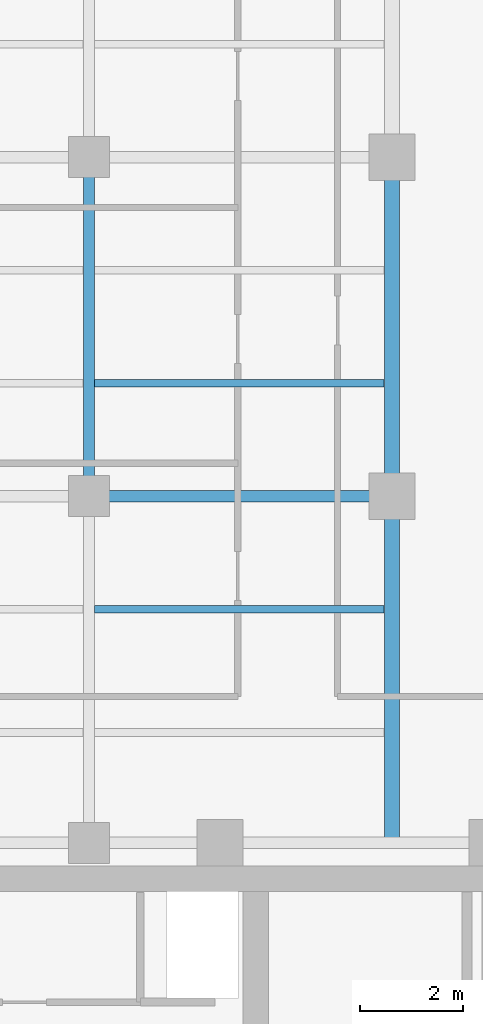
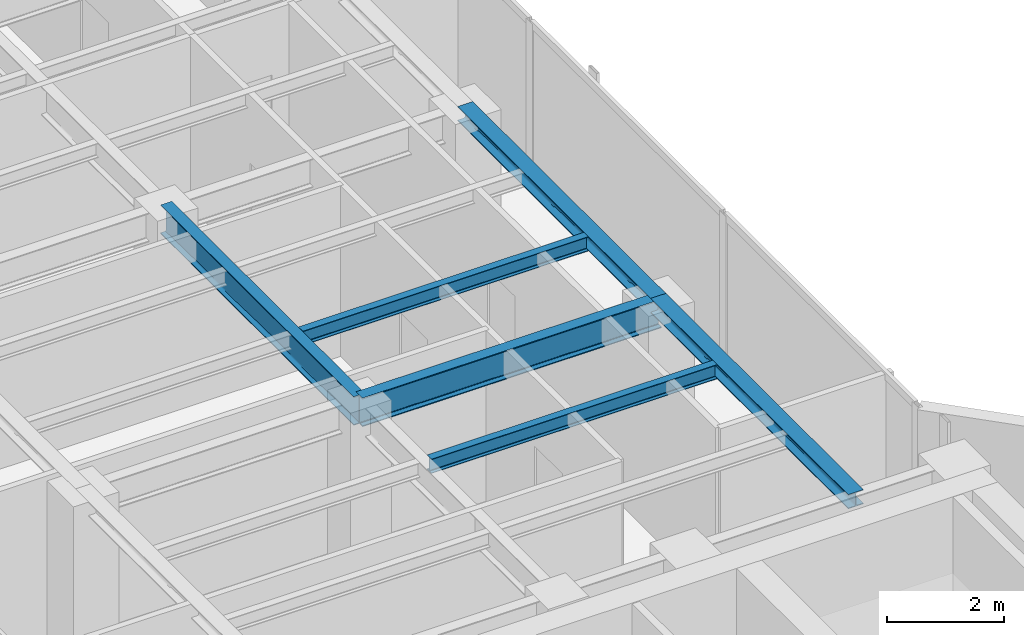
# One storey, part 9 of 22: 6 beams.
"""IFC4 building model written with IfcOpenShell, lengths in metres."""

import ifcopenshell
import ifcopenshell.guid

model = None  # the IFC model being written
_history = None  # IfcOwnerHistory: only IFC2X3 demands one
_inside = {}  # id of a spatial element -> (the spatial element, [elements in it])
_under = {}  # id of a project, library or spatial element -> (it, [spatial elements below it])
_declared = {}  # id of a project -> (the project, [libraries it declares])
_typed = {}  # id of a type object -> (the type object, [elements of that type])
_made_of = {}  # id of a material, layer set ... -> (it, [elements and type objects made of it])


def new_model(schema):
    """Start an empty IFC model of exactly this schema.

    Asked for "IFC4X3", IfcOpenShell would pick the latest addendum, in which some entities
    have other attributes; the version numbers below select the first issue.
    IFC2X3 requires an IfcOwnerHistory on every rooted entity: one is made here for all.
    """
    global model, _history
    if schema == "IFC4X3":
        model = ifcopenshell.file(schema_version=(4, 3, 0, 0))
    else:
        model = ifcopenshell.file(schema=schema)
    _inside.clear()
    _under.clear()
    _declared.clear()
    _typed.clear()
    _made_of.clear()
    _history = None
    if model.schema == "IFC2X3":
        org = make("IfcOrganization", Name="unknown")
        user = make(
            "IfcPersonAndOrganization",
            ThePerson=make("IfcPerson", FamilyName="unknown"),
            TheOrganization=org,
        )
        app = make(
            "IfcApplication",
            ApplicationDeveloper=org,
            Version="unknown",
            ApplicationFullName="unknown",
            ApplicationIdentifier="unknown",
        )
        _history = make(
            "IfcOwnerHistory",
            OwningUser=user,
            OwningApplication=app,
            ChangeAction="ADDED",
            CreationDate=0,
        )
    return model


def make(cls, **values):
    """One entity of the class cls with the attributes given. An attribute that is None is left unset."""
    return model.create_entity(
        cls, **{name: value for name, value in values.items() if value is not None}
    )


def rooted(cls, **values):
    """An entity with a GlobalId (a new one), such as an element, a storey or a relation."""
    return make(cls, GlobalId=ifcopenshell.guid.new(), OwnerHistory=_history, **values)


def si_unit(unit_type, name, prefix=None):
    """IfcSIUnit, for example si_unit("LENGTHUNIT", "METRE", prefix="MILLI")."""
    return make("IfcSIUnit", UnitType=unit_type, Prefix=prefix, Name=name)


def assignment(units):
    """IfcUnitAssignment: the units of a project."""
    return None if units is None else make("IfcUnitAssignment", Units=units)


def point(xyz):
    """IfcCartesianPoint."""
    return None if xyz is None else make("IfcCartesianPoint", Coordinates=xyz)


def direction(xyz):
    """IfcDirection."""
    return None if xyz is None else make("IfcDirection", DirectionRatios=xyz)


def frame(location, z_axis=None, x_axis=None):
    """IfcAxis2Placement3D, a coordinate frame: its origin and axes. An axis left out is left unset."""
    return make(
        "IfcAxis2Placement3D",
        Location=point(location),
        Axis=direction(z_axis),
        RefDirection=direction(x_axis),
    )


def frame_2d(location, x_axis=None):
    """IfcAxis2Placement2D, a coordinate frame in the plane: its origin and x axis."""
    return make(
        "IfcAxis2Placement2D", Location=point(location), RefDirection=direction(x_axis)
    )


def origin():
    """The frame at (0, 0, 0) with its axes left unset."""
    return frame((0.0, 0.0, 0.0))


def origin_2d():
    """The frame at (0, 0) in the plane with its x axis left unset."""
    return frame_2d((0.0, 0.0))


def place(relative_to, where):
    """IfcLocalPlacement: puts the frame where relative to a parent placement (None: the world)."""
    return make(
        "IfcLocalPlacement", PlacementRelTo=relative_to, RelativePlacement=where
    )


def context(
    kind, dimensions, precision=None, world=None, true_north=None, identifier=None
):
    """IfcGeometricRepresentationContext, for example the 3D "Model" context."""
    return make(
        "IfcGeometricRepresentationContext",
        ContextIdentifier=identifier,
        ContextType=kind,
        CoordinateSpaceDimension=dimensions,
        Precision=precision,
        WorldCoordinateSystem=world,
        TrueNorth=true_north,
    )


def subcontext(parent, identifier, kind, view, scale=None):
    """IfcGeometricRepresentationSubContext, for example "Body" below "Model"."""
    return make(
        "IfcGeometricRepresentationSubContext",
        ContextIdentifier=identifier,
        ContextType=kind,
        ParentContext=parent,
        TargetScale=scale,
        TargetView=view,
    )


def project(units=None, contexts=None):
    """IfcProject with its units and contexts."""
    return rooted(
        "IfcProject",
        Name="project",
        RepresentationContexts=contexts,
        UnitsInContext=assignment(units),
    )


def spatial(cls, under=None, at=None, **own):
    """A site, building, storey or space (cls), placed at a placement, below another one or the project."""
    s = rooted(cls, ObjectPlacement=at, **own)
    if under is not None:
        _under.setdefault(under.id(), (under, []))[1].append(s)
    return s


def profile(cls, at=None, kind="AREA", **sizes):
    """A parametric profile (cls). Its sizes go by their IFC names, for example OverallWidth=200.0."""
    return make(cls, ProfileType=kind, Position=at, **sizes)


def i_section(**sizes):
    """IfcIShapeProfileDef."""
    return profile("IfcIShapeProfileDef", **sizes)


def extrude(swept, where, along, depth):
    """IfcExtrudedAreaSolid: the profile swept, set in the frame where, extruded along a direction by depth."""
    return make(
        "IfcExtrudedAreaSolid",
        SweptArea=swept,
        Position=where,
        ExtrudedDirection=direction(along),
        Depth=depth,
    )


def shape(context_of_items, identifier, shape_type, items):
    """IfcShapeRepresentation: the items that make up one representation, for example the "Body"."""
    return make(
        "IfcShapeRepresentation",
        ContextOfItems=context_of_items,
        RepresentationIdentifier=identifier,
        RepresentationType=shape_type,
        Items=items,
    )


def material(Name=None, Category=None):
    """IfcMaterial."""
    return make("IfcMaterial", Name=Name, Category=Category)


def material_profile(
    of_material, cross_section, Name=None, Category=None, Priority=None
):
    """IfcMaterialProfile: a cross section and its material."""
    return make(
        "IfcMaterialProfile",
        Name=Name,
        Material=of_material,
        Profile=cross_section,
        Priority=Priority,
        Category=Category,
    )


def profile_set(profiles, Name=None, composite=None):
    """IfcMaterialProfileSet."""
    return make(
        "IfcMaterialProfileSet",
        Name=Name,
        MaterialProfiles=profiles,
        CompositeProfile=composite,
    )


def made_of(thing, what):
    """Note that an element or type object is made of a material, layer set ...; save() writes the relation."""
    if what is not None:
        _made_of.setdefault(what.id(), (what, []))[1].append(thing)
    return thing


def type_object(cls, material=None, **own):
    """A type object (cls), such as IfcWallType, which elements share."""
    return made_of(rooted(cls, **own), material)


def element(
    cls,
    number,
    at=None,
    inside=None,
    cuts=None,
    type_object=None,
    material=None,
    context=None,
    identifier="Body",
    shape_type=None,
    held_by="IfcProductDefinitionShape",
    body=None,
    shapes=None,
    **own,
):
    """One element of the class cls, such as IfcWall. Its Tag is "e" and its number.

    at: its placement. inside: the storey or other place that contains it. cuts: it is an
    opening in that element (IfcRelVoidsElement). A single representation is given by context,
    identifier, shape_type and body (its items); several are given by shapes. held_by: the class
    of the entity that holds the representations. save() writes the other relations.
    """
    e = rooted(cls, Tag="e%d" % number, ObjectPlacement=at, **own)
    if body is not None:
        shapes = [shape(context, identifier, shape_type, body)]
    if shapes is not None:
        e.Representation = make(held_by, Representations=shapes)
    if inside is not None:
        _inside.setdefault(inside.id(), (inside, []))[1].append(e)
    if cuts is not None:
        rooted(
            "IfcRelVoidsElement", RelatingBuildingElement=cuts, RelatedOpeningElement=e
        )
    if type_object is not None:
        _typed.setdefault(type_object.id(), (type_object, []))[1].append(e)
    return made_of(e, material)


def aggregate(whole, parts):
    """IfcRelAggregates: a whole, such as a stair, and the parts it consists of."""
    return rooted("IfcRelAggregates", RelatingObject=whole, RelatedObjects=parts)


def save(model, path):
    """Write the relations noted so far, then the file.

    IfcRelAggregates (storeys below a building ...), IfcRelContainedInSpatialStructure (elements
    in a storey), IfcRelDefinesByType, IfcRelAssociatesMaterial and IfcRelDeclares: one each for
    every whole, place, type object, material and project.
    """
    for whole, parts in _under.values():
        aggregate(whole, parts)
    for where, things in _inside.values():
        rooted(
            "IfcRelContainedInSpatialStructure",
            RelatedElements=things,
            RelatingStructure=where,
        )
    for kind, things in _typed.values():
        rooted("IfcRelDefinesByType", RelatedObjects=things, RelatingType=kind)
    for what, things in _made_of.values():
        rooted("IfcRelAssociatesMaterial", RelatedObjects=things, RelatingMaterial=what)
    for by, libraries in _declared.values():
        rooted("IfcRelDeclares", RelatingContext=by, RelatedDefinitions=libraries)
    model.write(path)


model = new_model("IFC4")

# Units and contexts
model_context = context("Model", 3, precision=1e-05, world=origin(), true_north=direction((0.0, 1.0)))
body_context = subcontext(model_context, "Body", "Model", "MODEL_VIEW")
ifc_project = project(units=[si_unit("LENGTHUNIT", "METRE"), si_unit("AREAUNIT", "SQUARE_METRE"), si_unit("VOLUMEUNIT", "CUBIC_METRE"), si_unit("PLANEANGLEUNIT", "RADIAN"), si_unit("MASSUNIT", "GRAM", prefix="KILO")], contexts=[model_context])

# Site, building, storey
site_placement = place(None, origin())
site = spatial("IfcSite", under=ifc_project, at=site_placement, CompositionType="ELEMENT")
building_placement = place(site_placement, origin())
building = spatial("IfcBuilding", under=site, at=building_placement, Name="Kolvaren Waterfront Exchange", CompositionType="ELEMENT")
storey_placement = place(building_placement, frame((0.0, 0.0, 312.199951171875)))
storey = spatial("IfcBuildingStorey", under=building, at=storey_placement, Name="L80", CompositionType="ELEMENT", Elevation=312.199951171875)

# Beams
ifc_material = material(Name="Steel S355", Category="steel")
ifc_material_profile_1 = material_profile(ifc_material, i_section(OverallWidth=0.300048828125, OverallDepth=0.300048828125, WebThickness=0.010986328125, FlangeThickness=0.01904296875, FilletRadius=0.027099609375, at=origin_2d()), Name="HEB300")
ifc_profile_set_1 = profile_set([ifc_material_profile_1], Name="Steel S355")
beam_type_1 = type_object("IfcBeamType", Name="STR-BM-HEB300", PredefinedType="SPANDREL", material=ifc_profile_set_1)
beam_1_placement = place(storey_placement, frame((18.800048828125, 24.449951171875, 3.41015625), z_axis=(0.0, 1.0, 0.0), x_axis=(-1.0, 0.0, 0.0)))
element("IfcBeam", 1, at=beam_1_placement, inside=storey, type_object=beam_type_1, Name="L80 north-arm edge beam 1", PredefinedType="SPANDREL", context=body_context, shape_type="SweptSolid", body=[
    extrude(i_section(OverallWidth=0.300048828125, OverallDepth=0.300048828125, WebThickness=0.010986328125, FlangeThickness=0.01904296875, FilletRadius=0.027099609375, at=origin_2d()), origin(), (0.0, 0.0, 1.0), 6.75),
])
beam_2_placement = place(storey_placement, frame((18.800048828125, 31.199951171875, 3.41015625), z_axis=(0.0, 1.0, 0.0), x_axis=(-1.0, 0.0, 0.0)))
element("IfcBeam", 2, at=beam_2_placement, inside=storey, type_object=beam_type_1, Name="L80 north-arm edge beam 2", PredefinedType="SPANDREL", context=body_context, shape_type="SweptSolid", body=[
    extrude(i_section(OverallWidth=0.300048828125, OverallDepth=0.300048828125, WebThickness=0.010986328125, FlangeThickness=0.01904296875, FilletRadius=0.027099609375, at=origin_2d()), origin(), (0.0, 0.0, 1.0), 6.60009765625),
])
ifc_material_profile_2 = material_profile(ifc_material, i_section(OverallWidth=0.14990234375, OverallDepth=0.300048828125, WebThickness=0.007080078125, FlangeThickness=0.0107421875, FilletRadius=0.014892578125, at=origin_2d()), Name="IPE300")
ifc_profile_set_2 = profile_set([ifc_material_profile_2], Name="Steel S355")
beam_type_2 = type_object("IfcBeamType", Name="STR-BM-IPE300", PredefinedType="JOIST", material=ifc_profile_set_2)
for number, where, z_axis, x_axis, name in (
    (3, (13.011962890625, 29.0, 3.41015625), (1.0, 0.0, 0.0), (0.0, 1.0, 0.0), "L80 north-arm composite joist 2B"),
    (4, (13.011962890625, 33.39990234375, 3.41015625), (1.0, 0.0, 0.0), (0.0, 1.0, 0.0), "L80 north-arm composite joist 3B"),
):
    element("IfcBeam", number, at=place(storey_placement, frame(where, z_axis=z_axis, x_axis=x_axis)), inside=storey, type_object=beam_type_2, Name=name, PredefinedType="JOIST", context=body_context, shape_type="SweptSolid", body=[
        extrude(i_section(OverallWidth=0.14990234375, OverallDepth=0.300048828125, WebThickness=0.007080078125, FlangeThickness=0.0107421875, FilletRadius=0.014892578125, at=origin_2d()), origin(), (0.0, 0.0, 1.0), 5.635986328125),
    ])
ifc_material_profile_3 = material_profile(ifc_material, i_section(OverallWidth=0.219970703125, OverallDepth=0.60009765625, WebThickness=0.011962890625, FlangeThickness=0.01904296875, FilletRadius=0.02392578125, at=origin_2d()), Name="IPE600")
ifc_profile_set_3 = profile_set([ifc_material_profile_3], Name="Steel S355")
beam_type_3 = type_object("IfcBeamType", Name="STR-BM-IPE600", PredefinedType="BEAM", material=ifc_profile_set_3)
beam_3_placement = place(storey_placement, frame((12.89990234375, 31.199951171875, 3.260009765625), z_axis=(1.0, 0.0, 0.0), x_axis=(0.0, 1.0, 0.0)))
element("IfcBeam", 5, at=beam_3_placement, inside=storey, type_object=beam_type_3, Name="L80 north-arm girder 2B", PredefinedType="BEAM", context=body_context, shape_type="SweptSolid", body=[
    extrude(i_section(OverallWidth=0.219970703125, OverallDepth=0.60009765625, WebThickness=0.011962890625, FlangeThickness=0.01904296875, FilletRadius=0.02392578125, at=origin_2d()), origin(), (0.0, 0.0, 1.0), 5.900146484375),
])
beam_4_placement = place(storey_placement, frame((12.89990234375, 31.199951171875, 3.260009765625), z_axis=(0.0, 1.0, 0.0), x_axis=(-1.0, 0.0, 0.0)))
element("IfcBeam", 6, at=beam_4_placement, inside=storey, type_object=beam_type_3, Name="L80 north-arm edge beam 2", PredefinedType="BEAM", context=body_context, shape_type="SweptSolid", body=[
    extrude(i_section(OverallWidth=0.219970703125, OverallDepth=0.60009765625, WebThickness=0.011962890625, FlangeThickness=0.01904296875, FilletRadius=0.02392578125, at=origin_2d()), origin(), (0.0, 0.0, 1.0), 6.60009765625),
])

save(model, "model.ifc")
